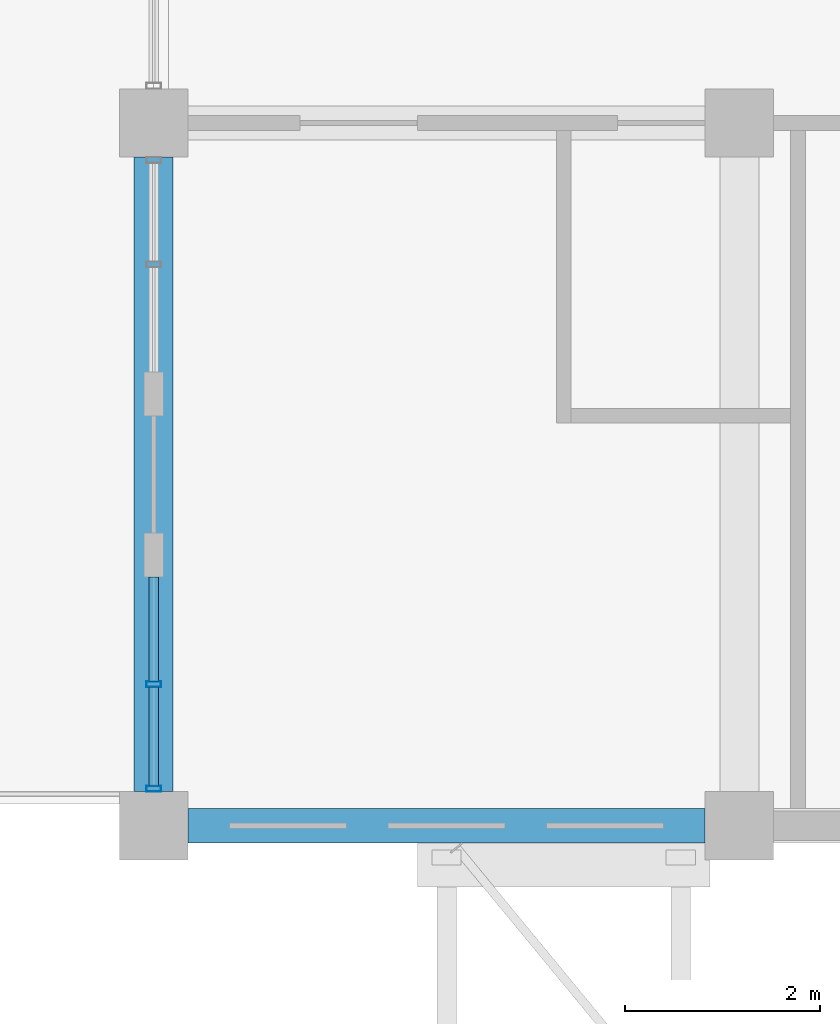
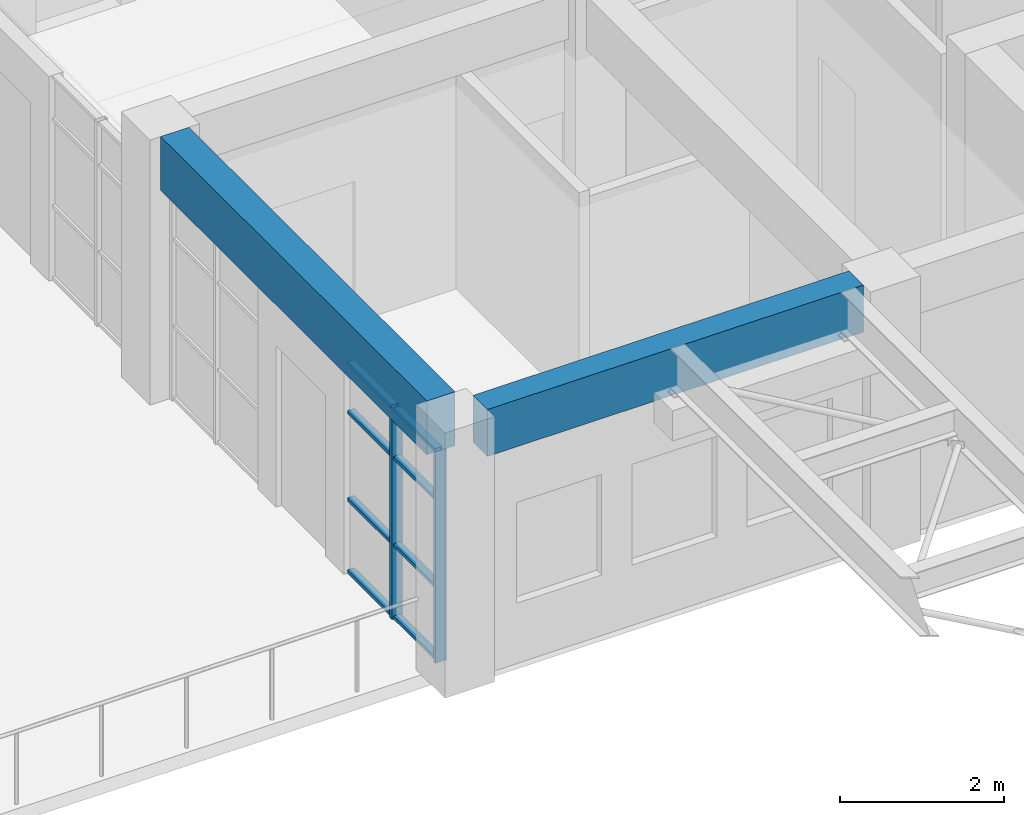
# One storey, part 29 of 103: 10 members, 2 beams, 1 element without a shape of its own.
"""IFC4 building model written with IfcOpenShell, lengths in metres."""

from ifc_helpers import new_model, si_unit, direction, frame, origin, origin_2d, place, context, subcontext, project, spatial, rectangle, hollow_rectangle, extrude, material, material_profile, profile_set, type_object, element, aggregate, save


model = new_model("IFC4")

# Units and contexts
model_context = context("Model", 3, precision=1e-05, world=origin(), true_north=direction((0.0, 1.0)))
body_context = subcontext(model_context, "Body", "Model", "MODEL_VIEW")
ifc_project = project(units=[si_unit("LENGTHUNIT", "METRE"), si_unit("AREAUNIT", "SQUARE_METRE"), si_unit("VOLUMEUNIT", "CUBIC_METRE"), si_unit("PLANEANGLEUNIT", "RADIAN"), si_unit("MASSUNIT", "GRAM", prefix="KILO")], contexts=[model_context])

# Site, building, storey
site_placement = place(None, origin())
site = spatial("IfcSite", under=ifc_project, at=site_placement, CompositionType="ELEMENT")
building_placement = place(site_placement, origin())
building = spatial("IfcBuilding", under=site, at=building_placement, Name="Laocheng Heights Fire and Rescue Headquarters", CompositionType="ELEMENT")
storey_placement = place(building_placement, frame((0.0, 0.0, 4.199951171875)))
storey = spatial("IfcBuildingStorey", under=building, at=storey_placement, Name="L01", CompositionType="ELEMENT", Elevation=4.199951171875)

# Curtain wall, members
ifc_material_1 = material(Name="Dark anodised aluminium unitised curtain wall, low-e double glazing", Category="aluminium")
curtain_wall_type = type_object("IfcCurtainWallType", Name="CW 2200 x 3150 CREW COURT GLAZING", PredefinedType="NOTDEFINED", material=ifc_material_1)
curtain_wall_placement = place(storey_placement, origin())
curtain_wall = element("IfcCurtainWall", 1, at=curtain_wall_placement, inside=storey, type_object=curtain_wall_type, Name="X1-W CREW WEST L01", PredefinedType="NOTDEFINED")
ifc_material_2 = material(Name="Dark anodised aluminium 6063-T5 extrusion", Category="aluminium")
ifc_material_profile_1 = material_profile(ifc_material_2, hollow_rectangle(XDim=0.14990234375, YDim=0.06005859375, WallThickness=0.0029296875, at=origin_2d()), Name="AL MULLION 150x60x3 CREW COURT GLAZING")
ifc_profile_set_1 = profile_set([ifc_material_profile_1], Name="Dark anodised aluminium 6063-T5 extrusion")
member_type_1 = type_object("IfcMemberType", Name="AL MULLION 150x60x3 CREW COURT GLAZING", PredefinedType="MULLION", material=ifc_profile_set_1)
member_1_placement = place(storey_placement, frame((90.0, 36.3798828125, 0.0), z_axis=(0.0, 0.0, 1.0), x_axis=(-1.0, 0.0, 0.0)))
member_1 = element("IfcMember", 2, at=member_1_placement, type_object=member_type_1, Name="X1-W mullion 1", PredefinedType="MULLION", context=body_context, shape_type="SweptSolid", body=[
    extrude(hollow_rectangle(XDim=0.14990234375, YDim=0.06005859375, WallThickness=0.0029296875, at=origin_2d()), origin(), (0.0, 0.0, 1.0), 3.150146484375),
])
member_2_placement = place(storey_placement, frame((90.0, 37.449951171875, 0.0), z_axis=(0.0, 0.0, 1.0), x_axis=(-1.0, 0.0, 0.0)))
member_2 = element("IfcMember", 3, at=member_2_placement, type_object=member_type_1, Name="X1-W mullion 2", PredefinedType="MULLION", context=body_context, shape_type="SweptSolid", body=[
    extrude(hollow_rectangle(XDim=0.14990234375, YDim=0.06005859375, WallThickness=0.0029296875, at=origin_2d()), origin(), (0.0, 0.0, 1.0), 3.150146484375),
])
ifc_material_3 = material(Name="Dark anodised aluminium 6063-T5 extrusion", Category="aluminium")
ifc_material_profile_2 = material_profile(ifc_material_3, hollow_rectangle(XDim=0.10009765625, YDim=0.050048828125, WallThickness=0.0029296875, at=origin_2d()), Name="AL TRANSOM 100x50x3 CREW COURT GLAZING")
ifc_profile_set_2 = profile_set([ifc_material_profile_2], Name="Dark anodised aluminium 6063-T5 extrusion")
member_type_2 = type_object("IfcMemberType", Name="AL TRANSOM 100x50x3 CREW COURT GLAZING", PredefinedType="USERDEFINED", material=ifc_profile_set_2)
member_3_placement = place(storey_placement, frame((90.0, 36.409912109375, 0.025146484375), z_axis=(0.0, 1.0, 0.0), x_axis=(-1.0, 0.0, 0.0)))
member_3 = element("IfcMember", 4, at=member_3_placement, type_object=member_type_2, Name="X1-W transom 1.1", ObjectType="TRANSOM", PredefinedType="USERDEFINED", context=body_context, shape_type="SweptSolid", body=[
    extrude(hollow_rectangle(XDim=0.10009765625, YDim=0.050048828125, WallThickness=0.0029296875, at=origin_2d()), origin(), (0.0, 0.0, 1.0), 1.010009765625),
])
member_4_placement = place(storey_placement, frame((90.0, 36.409912109375, 1.10009765625), z_axis=(0.0, 1.0, 0.0), x_axis=(-1.0, 0.0, 0.0)))
member_4 = element("IfcMember", 5, at=member_4_placement, type_object=member_type_2, Name="X1-W transom 1.2", ObjectType="TRANSOM", PredefinedType="USERDEFINED", context=body_context, shape_type="SweptSolid", body=[
    extrude(hollow_rectangle(XDim=0.10009765625, YDim=0.050048828125, WallThickness=0.0029296875, at=origin_2d()), origin(), (0.0, 0.0, 1.0), 1.010009765625),
])
member_5_placement = place(storey_placement, frame((90.0, 36.409912109375, 2.400146484375), z_axis=(0.0, 1.0, 0.0), x_axis=(-1.0, 0.0, 0.0)))
member_5 = element("IfcMember", 6, at=member_5_placement, type_object=member_type_2, Name="X1-W transom 1.3", ObjectType="TRANSOM", PredefinedType="USERDEFINED", context=body_context, shape_type="SweptSolid", body=[
    extrude(hollow_rectangle(XDim=0.10009765625, YDim=0.050048828125, WallThickness=0.0029296875, at=origin_2d()), origin(), (0.0, 0.0, 1.0), 1.010009765625),
])
member_6_placement = place(storey_placement, frame((90.0, 36.409912109375, 3.125), z_axis=(0.0, 1.0, 0.0), x_axis=(-1.0, 0.0, 0.0)))
member_6 = element("IfcMember", 7, at=member_6_placement, type_object=member_type_2, Name="X1-W transom 1.4", ObjectType="TRANSOM", PredefinedType="USERDEFINED", context=body_context, shape_type="SweptSolid", body=[
    extrude(hollow_rectangle(XDim=0.10009765625, YDim=0.050048828125, WallThickness=0.0029296875, at=origin_2d()), origin(), (0.0, 0.0, 1.0), 1.010009765625),
])
member_7_placement = place(storey_placement, frame((90.0, 37.47998046875, 0.025146484375), z_axis=(0.0, 1.0, 0.0), x_axis=(-1.0, 0.0, 0.0)))
member_7 = element("IfcMember", 8, at=member_7_placement, type_object=member_type_2, Name="X1-W transom 2.1", ObjectType="TRANSOM", PredefinedType="USERDEFINED", context=body_context, shape_type="SweptSolid", body=[
    extrude(hollow_rectangle(XDim=0.10009765625, YDim=0.050048828125, WallThickness=0.0029296875, at=origin_2d()), origin(), (0.0, 0.0, 1.0), 1.070068359375),
])
member_8_placement = place(storey_placement, frame((90.0, 37.47998046875, 1.10009765625), z_axis=(0.0, 1.0, 0.0), x_axis=(-1.0, 0.0, 0.0)))
member_8 = element("IfcMember", 9, at=member_8_placement, type_object=member_type_2, Name="X1-W transom 2.2", ObjectType="TRANSOM", PredefinedType="USERDEFINED", context=body_context, shape_type="SweptSolid", body=[
    extrude(hollow_rectangle(XDim=0.10009765625, YDim=0.050048828125, WallThickness=0.0029296875, at=origin_2d()), origin(), (0.0, 0.0, 1.0), 1.070068359375),
])
member_9_placement = place(storey_placement, frame((90.0, 37.47998046875, 2.400146484375), z_axis=(0.0, 1.0, 0.0), x_axis=(-1.0, 0.0, 0.0)))
member_9 = element("IfcMember", 10, at=member_9_placement, type_object=member_type_2, Name="X1-W transom 2.3", ObjectType="TRANSOM", PredefinedType="USERDEFINED", context=body_context, shape_type="SweptSolid", body=[
    extrude(hollow_rectangle(XDim=0.10009765625, YDim=0.050048828125, WallThickness=0.0029296875, at=origin_2d()), origin(), (0.0, 0.0, 1.0), 1.070068359375),
])
member_10_placement = place(storey_placement, frame((90.0, 37.47998046875, 3.125), z_axis=(0.0, 1.0, 0.0), x_axis=(-1.0, 0.0, 0.0)))
member_10 = element("IfcMember", 11, at=member_10_placement, type_object=member_type_2, Name="X1-W transom 2.4", ObjectType="TRANSOM", PredefinedType="USERDEFINED", context=body_context, shape_type="SweptSolid", body=[
    extrude(hollow_rectangle(XDim=0.10009765625, YDim=0.050048828125, WallThickness=0.0029296875, at=origin_2d()), origin(), (0.0, 0.0, 1.0), 1.070068359375),
])
aggregate(curtain_wall, [member_1, member_2, member_3, member_4, member_5, member_6, member_7, member_8, member_9, member_10])

# Beams
ifc_material_4 = material(Name="Concrete C40", Category="concrete")
ifc_material_profile_3 = material_profile(ifc_material_4, rectangle(XDim=0.35009765625, YDim=0.699951171875, at=origin_2d()), Name="RC BEAM 350x700 CREW")
ifc_profile_set_3 = profile_set([ifc_material_profile_3], Name="Concrete C40")
beam_type_1 = type_object("IfcBeamType", Name="RC BEAM 350x700 CREW", PredefinedType="BEAM", material=ifc_profile_set_3)
beam_1_placement = place(storey_placement, frame((90.35009765625, 36.0, 3.60009765625), z_axis=(1.0, 0.0, 0.0), x_axis=(0.0, 1.0, 0.0)))
element("IfcBeam", 12, at=beam_1_placement, inside=storey, type_object=beam_type_1, Name="Crew beam L01", PredefinedType="BEAM", context=body_context, shape_type="SweptSolid", body=[
    extrude(rectangle(XDim=0.35009765625, YDim=0.699951171875, at=origin_2d()), origin(), (0.0, 0.0, 1.0), 5.2998046875),
])
ifc_material_5 = material(Name="Concrete C40", Category="concrete")
ifc_material_profile_4 = material_profile(ifc_material_5, rectangle(XDim=0.39990234375, YDim=0.800048828125, at=origin_2d()), Name="RC BEAM 400x800 CREW")
ifc_profile_set_4 = profile_set([ifc_material_profile_4], Name="Concrete C40")
beam_type_2 = type_object("IfcBeamType", Name="RC BEAM 400x800 CREW", PredefinedType="BEAM", material=ifc_profile_set_4)
beam_2_placement = place(storey_placement, frame((90.0, 36.35009765625, 3.550048828125), z_axis=(0.0, 1.0, 0.0), x_axis=(-1.0, 0.0, 0.0)))
element("IfcBeam", 13, at=beam_2_placement, inside=storey, type_object=beam_type_2, Name="Crew beam L01", PredefinedType="BEAM", context=body_context, shape_type="SweptSolid", body=[
    extrude(rectangle(XDim=0.39990234375, YDim=0.800048828125, at=origin_2d()), origin(), (0.0, 0.0, 1.0), 6.5),
])

save(model, "model.ifc")
